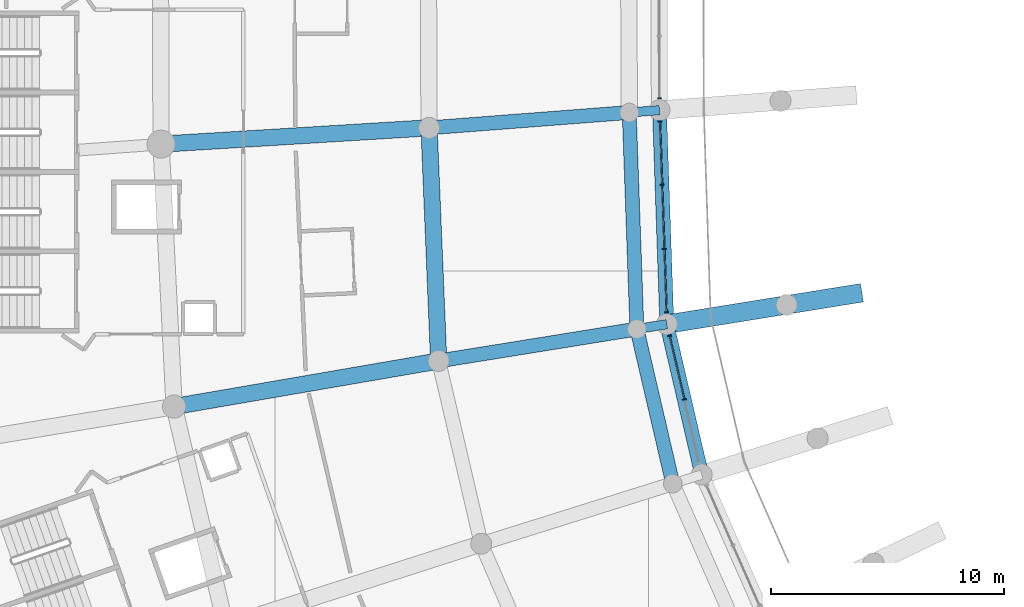
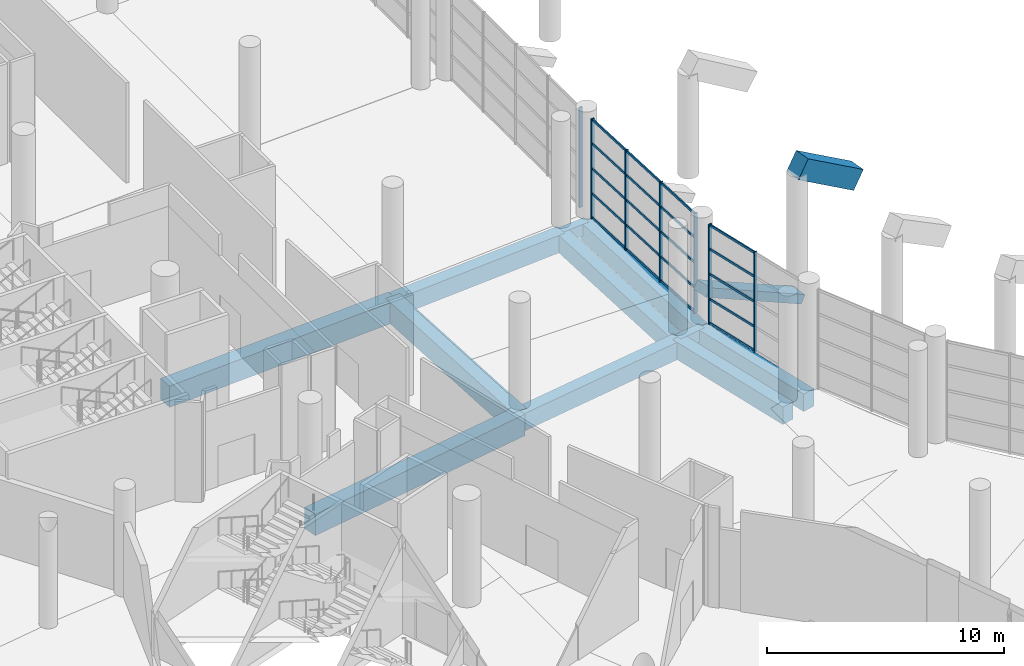
# One storey, part 32 of 271: 27 members, 13 beams, 3 elements without a shape of their own.
"""IFC4 building model written with IfcOpenShell, lengths in metres."""

import ifcopenshell
import ifcopenshell.guid

model = None  # the IFC model being written
_history = None  # IfcOwnerHistory: only IFC2X3 demands one
_inside = {}  # id of a spatial element -> (the spatial element, [elements in it])
_under = {}  # id of a project, library or spatial element -> (it, [spatial elements below it])
_declared = {}  # id of a project -> (the project, [libraries it declares])
_typed = {}  # id of a type object -> (the type object, [elements of that type])
_made_of = {}  # id of a material, layer set ... -> (it, [elements and type objects made of it])


def new_model(schema):
    """Start an empty IFC model of exactly this schema.

    Asked for "IFC4X3", IfcOpenShell would pick the latest addendum, in which some entities
    have other attributes; the version numbers below select the first issue.
    IFC2X3 requires an IfcOwnerHistory on every rooted entity: one is made here for all.
    """
    global model, _history
    if schema == "IFC4X3":
        model = ifcopenshell.file(schema_version=(4, 3, 0, 0))
    else:
        model = ifcopenshell.file(schema=schema)
    _inside.clear()
    _under.clear()
    _declared.clear()
    _typed.clear()
    _made_of.clear()
    _history = None
    if model.schema == "IFC2X3":
        org = make("IfcOrganization", Name="unknown")
        user = make(
            "IfcPersonAndOrganization",
            ThePerson=make("IfcPerson", FamilyName="unknown"),
            TheOrganization=org,
        )
        app = make(
            "IfcApplication",
            ApplicationDeveloper=org,
            Version="unknown",
            ApplicationFullName="unknown",
            ApplicationIdentifier="unknown",
        )
        _history = make(
            "IfcOwnerHistory",
            OwningUser=user,
            OwningApplication=app,
            ChangeAction="ADDED",
            CreationDate=0,
        )
    return model


def make(cls, **values):
    """One entity of the class cls with the attributes given. An attribute that is None is left unset."""
    return model.create_entity(
        cls, **{name: value for name, value in values.items() if value is not None}
    )


def rooted(cls, **values):
    """An entity with a GlobalId (a new one), such as an element, a storey or a relation."""
    return make(cls, GlobalId=ifcopenshell.guid.new(), OwnerHistory=_history, **values)


def si_unit(unit_type, name, prefix=None):
    """IfcSIUnit, for example si_unit("LENGTHUNIT", "METRE", prefix="MILLI")."""
    return make("IfcSIUnit", UnitType=unit_type, Prefix=prefix, Name=name)


def assignment(units):
    """IfcUnitAssignment: the units of a project."""
    return None if units is None else make("IfcUnitAssignment", Units=units)


def point(xyz):
    """IfcCartesianPoint."""
    return None if xyz is None else make("IfcCartesianPoint", Coordinates=xyz)


def direction(xyz):
    """IfcDirection."""
    return None if xyz is None else make("IfcDirection", DirectionRatios=xyz)


def frame(location, z_axis=None, x_axis=None):
    """IfcAxis2Placement3D, a coordinate frame: its origin and axes. An axis left out is left unset."""
    return make(
        "IfcAxis2Placement3D",
        Location=point(location),
        Axis=direction(z_axis),
        RefDirection=direction(x_axis),
    )


def frame_2d(location, x_axis=None):
    """IfcAxis2Placement2D, a coordinate frame in the plane: its origin and x axis."""
    return make(
        "IfcAxis2Placement2D", Location=point(location), RefDirection=direction(x_axis)
    )


def origin():
    """The frame at (0, 0, 0) with its axes left unset."""
    return frame((0.0, 0.0, 0.0))


def origin_2d():
    """The frame at (0, 0) in the plane with its x axis left unset."""
    return frame_2d((0.0, 0.0))


def place(relative_to, where):
    """IfcLocalPlacement: puts the frame where relative to a parent placement (None: the world)."""
    return make(
        "IfcLocalPlacement", PlacementRelTo=relative_to, RelativePlacement=where
    )


def context(
    kind, dimensions, precision=None, world=None, true_north=None, identifier=None
):
    """IfcGeometricRepresentationContext, for example the 3D "Model" context."""
    return make(
        "IfcGeometricRepresentationContext",
        ContextIdentifier=identifier,
        ContextType=kind,
        CoordinateSpaceDimension=dimensions,
        Precision=precision,
        WorldCoordinateSystem=world,
        TrueNorth=true_north,
    )


def subcontext(parent, identifier, kind, view, scale=None):
    """IfcGeometricRepresentationSubContext, for example "Body" below "Model"."""
    return make(
        "IfcGeometricRepresentationSubContext",
        ContextIdentifier=identifier,
        ContextType=kind,
        ParentContext=parent,
        TargetScale=scale,
        TargetView=view,
    )


def project(units=None, contexts=None):
    """IfcProject with its units and contexts."""
    return rooted(
        "IfcProject",
        Name="project",
        RepresentationContexts=contexts,
        UnitsInContext=assignment(units),
    )


def spatial(cls, under=None, at=None, **own):
    """A site, building, storey or space (cls), placed at a placement, below another one or the project."""
    s = rooted(cls, ObjectPlacement=at, **own)
    if under is not None:
        _under.setdefault(under.id(), (under, []))[1].append(s)
    return s


def profile(cls, at=None, kind="AREA", **sizes):
    """A parametric profile (cls). Its sizes go by their IFC names, for example OverallWidth=200.0."""
    return make(cls, ProfileType=kind, Position=at, **sizes)


def rectangle(**sizes):
    """IfcRectangleProfileDef."""
    return profile("IfcRectangleProfileDef", **sizes)


def extrude(swept, where, along, depth):
    """IfcExtrudedAreaSolid: the profile swept, set in the frame where, extruded along a direction by depth."""
    return make(
        "IfcExtrudedAreaSolid",
        SweptArea=swept,
        Position=where,
        ExtrudedDirection=direction(along),
        Depth=depth,
    )


def shape(context_of_items, identifier, shape_type, items):
    """IfcShapeRepresentation: the items that make up one representation, for example the "Body"."""
    return make(
        "IfcShapeRepresentation",
        ContextOfItems=context_of_items,
        RepresentationIdentifier=identifier,
        RepresentationType=shape_type,
        Items=items,
    )


def material(Name=None, Category=None):
    """IfcMaterial."""
    return make("IfcMaterial", Name=Name, Category=Category)


def layer(
    of_material, thickness, ventilated=None, Name=None, Category=None, Priority=None
):
    """IfcMaterialLayer: one layer of a wall or slab, of a material (None: an air gap)."""
    return make(
        "IfcMaterialLayer",
        Material=of_material,
        LayerThickness=thickness,
        IsVentilated=ventilated,
        Name=Name,
        Category=Category,
        Priority=Priority,
    )


def layer_set(layers, Name=None):
    """IfcMaterialLayerSet."""
    return make("IfcMaterialLayerSet", MaterialLayers=layers, LayerSetName=Name)


def material_profile(
    of_material, cross_section, Name=None, Category=None, Priority=None
):
    """IfcMaterialProfile: a cross section and its material."""
    return make(
        "IfcMaterialProfile",
        Name=Name,
        Material=of_material,
        Profile=cross_section,
        Priority=Priority,
        Category=Category,
    )


def profile_set(profiles, Name=None, composite=None):
    """IfcMaterialProfileSet."""
    return make(
        "IfcMaterialProfileSet",
        Name=Name,
        MaterialProfiles=profiles,
        CompositeProfile=composite,
    )


def made_of(thing, what):
    """Note that an element or type object is made of a material, layer set ...; save() writes the relation."""
    if what is not None:
        _made_of.setdefault(what.id(), (what, []))[1].append(thing)
    return thing


def type_object(cls, material=None, **own):
    """A type object (cls), such as IfcWallType, which elements share."""
    return made_of(rooted(cls, **own), material)


def element(
    cls,
    number,
    at=None,
    inside=None,
    cuts=None,
    type_object=None,
    material=None,
    context=None,
    identifier="Body",
    shape_type=None,
    held_by="IfcProductDefinitionShape",
    body=None,
    shapes=None,
    **own,
):
    """One element of the class cls, such as IfcWall. Its Tag is "e" and its number.

    at: its placement. inside: the storey or other place that contains it. cuts: it is an
    opening in that element (IfcRelVoidsElement). A single representation is given by context,
    identifier, shape_type and body (its items); several are given by shapes. held_by: the class
    of the entity that holds the representations. save() writes the other relations.
    """
    e = rooted(cls, Tag="e%d" % number, ObjectPlacement=at, **own)
    if body is not None:
        shapes = [shape(context, identifier, shape_type, body)]
    if shapes is not None:
        e.Representation = make(held_by, Representations=shapes)
    if inside is not None:
        _inside.setdefault(inside.id(), (inside, []))[1].append(e)
    if cuts is not None:
        rooted(
            "IfcRelVoidsElement", RelatingBuildingElement=cuts, RelatedOpeningElement=e
        )
    if type_object is not None:
        _typed.setdefault(type_object.id(), (type_object, []))[1].append(e)
    return made_of(e, material)


def aggregate(whole, parts):
    """IfcRelAggregates: a whole, such as a stair, and the parts it consists of."""
    return rooted("IfcRelAggregates", RelatingObject=whole, RelatedObjects=parts)


def save(model, path):
    """Write the relations noted so far, then the file.

    IfcRelAggregates (storeys below a building ...), IfcRelContainedInSpatialStructure (elements
    in a storey), IfcRelDefinesByType, IfcRelAssociatesMaterial and IfcRelDeclares: one each for
    every whole, place, type object, material and project.
    """
    for whole, parts in _under.values():
        aggregate(whole, parts)
    for where, things in _inside.values():
        rooted(
            "IfcRelContainedInSpatialStructure",
            RelatedElements=things,
            RelatingStructure=where,
        )
    for kind, things in _typed.values():
        rooted("IfcRelDefinesByType", RelatedObjects=things, RelatingType=kind)
    for what, things in _made_of.values():
        rooted("IfcRelAssociatesMaterial", RelatedObjects=things, RelatingMaterial=what)
    for by, libraries in _declared.values():
        rooted("IfcRelDeclares", RelatingContext=by, RelatedDefinitions=libraries)
    model.write(path)


model = new_model("IFC4")

# Units and contexts
model_context = context("Model", 3, precision=1e-05, world=origin(), true_north=direction((0.0, 1.0)))
body_context = subcontext(model_context, "Body", "Model", "MODEL_VIEW")
ifc_project = project(units=[si_unit("LENGTHUNIT", "METRE"), si_unit("AREAUNIT", "SQUARE_METRE"), si_unit("VOLUMEUNIT", "CUBIC_METRE"), si_unit("PLANEANGLEUNIT", "RADIAN"), si_unit("MASSUNIT", "GRAM", prefix="KILO")], contexts=[model_context])

# Site, building, storey
site_placement = place(None, origin())
site = spatial("IfcSite", under=ifc_project, at=site_placement, CompositionType="ELEMENT")
building_placement = place(site_placement, origin())
building = spatial("IfcBuilding", under=site, at=building_placement, Name="Meseta Stadium", CompositionType="ELEMENT")
storey_placement = place(building_placement, frame((0.0, 0.0, 6.5)))
storey = spatial("IfcBuildingStorey", under=building, at=storey_placement, Name="L01", CompositionType="ELEMENT", Elevation=6.5)

# Curtain wall, member
ifc_material_1 = material(Name="Aluminium", Category="aluminium")
ifc_layer = layer(ifc_material_1, 0.199951171875)
ifc_layer_set = layer_set([ifc_layer], Name="Club glazing curtain wall")
curtain_wall_type = type_object("IfcCurtainWallType", Name="Club glazing curtain wall", PredefinedType="NOTDEFINED", material=ifc_layer_set)
curtain_wall_1_placement = place(storey_placement, origin())
curtain_wall_1 = element("IfcCurtainWall", 1, at=curtain_wall_1_placement, inside=storey, type_object=curtain_wall_type, Name="Club glazing bay 35", PredefinedType="NOTDEFINED")
ifc_material_2 = material(Name="Aluminium", Category="aluminium")
ifc_material_profile_1 = material_profile(ifc_material_2, rectangle(XDim=0.159912109375, YDim=0.06005859375, at=origin_2d()), Name="CW 160x60")
ifc_profile_set_1 = profile_set([ifc_material_profile_1], Name="Aluminium")
member_type_1 = type_object("IfcMemberType", Name="CW mullion 60x160", PredefinedType="MULLION", material=ifc_profile_set_1)
member_1_placement = place(storey_placement, frame((-63.53515625, -40.59423828125, 0.0), z_axis=(0.0, 0.0, 1.0), x_axis=(0.999996195715, 0.002758360998, 0.0)))
member_1 = element("IfcMember", 2, at=member_1_placement, type_object=member_type_1, Name="CWC mullion 5", PredefinedType="MULLION", context=body_context, shape_type="SweptSolid", body=[
    extrude(rectangle(XDim=0.159912109375, YDim=0.06005859375, at=origin_2d()), origin(), (0.0, 0.0, 1.0), 5.14990234375),
])
aggregate(curtain_wall_1, [member_1])

# Curtain wall, members
curtain_wall_2_placement = place(storey_placement, origin())
curtain_wall_2 = element("IfcCurtainWall", 3, at=curtain_wall_2_placement, inside=storey, type_object=curtain_wall_type, Name="Club glazing bay 36", PredefinedType="NOTDEFINED")
member_2_placement = place(storey_placement, frame((-63.517333984375, -41.583740234375, 0.0), z_axis=(0.0, 0.0, 1.0), x_axis=(0.999408203812, 0.034398287063, 0.0)))
member_2 = element("IfcMember", 4, at=member_2_placement, type_object=member_type_1, Name="CWC mullion 1", PredefinedType="MULLION", context=body_context, shape_type="SweptSolid", body=[
    extrude(rectangle(XDim=0.159912109375, YDim=0.06005859375, at=origin_2d()), origin(), (0.0, 0.0, 1.0), 5.14990234375),
])
member_3_placement = place(storey_placement, frame((-63.423828125, -44.29931640625, 0.0), z_axis=(0.0, 0.0, 1.0), x_axis=(0.999408203812, 0.034398287063, 0.0)))
member_3 = element("IfcMember", 5, at=member_3_placement, type_object=member_type_1, Name="CWC mullion 2", PredefinedType="MULLION", context=body_context, shape_type="SweptSolid", body=[
    extrude(rectangle(XDim=0.159912109375, YDim=0.06005859375, at=origin_2d()), origin(), (0.0, 0.0, 1.0), 5.14990234375),
])
member_4_placement = place(storey_placement, frame((-63.329345703125, -47.044921875, 0.0), z_axis=(0.0, 0.0, 1.0), x_axis=(0.999408203812, 0.034398287063, 0.0)))
member_4 = element("IfcMember", 6, at=member_4_placement, type_object=member_type_1, Name="CWC mullion 3", PredefinedType="MULLION", context=body_context, shape_type="SweptSolid", body=[
    extrude(rectangle(XDim=0.159912109375, YDim=0.06005859375, at=origin_2d()), origin(), (0.0, 0.0, 1.0), 5.14990234375),
])
member_5_placement = place(storey_placement, frame((-63.23583984375, -49.760498046875, 0.0), z_axis=(0.0, 0.0, 1.0), x_axis=(0.999408203812, 0.034398287063, 0.0)))
member_5 = element("IfcMember", 7, at=member_5_placement, type_object=member_type_1, Name="CWC mullion 4", PredefinedType="MULLION", context=body_context, shape_type="SweptSolid", body=[
    extrude(rectangle(XDim=0.159912109375, YDim=0.06005859375, at=origin_2d()), origin(), (0.0, 0.0, 1.0), 5.14990234375),
])

curtain_wall_3_placement = place(storey_placement, origin())
curtain_wall_3 = element("IfcCurtainWall", 8, at=curtain_wall_3_placement, inside=storey, type_object=curtain_wall_type, Name="Club glazing bay 37", PredefinedType="NOTDEFINED")
member_6_placement = place(storey_placement, frame((-63.102783203125, -50.769775390625, 0.0), z_axis=(0.0, 0.0, 1.0), x_axis=(0.974116107399, 0.226048245529, 0.0)))
member_6 = element("IfcMember", 9, at=member_6_placement, type_object=member_type_1, Name="CWC mullion 1", PredefinedType="MULLION", context=body_context, shape_type="SweptSolid", body=[
    extrude(rectangle(XDim=0.159912109375, YDim=0.06005859375, at=origin_2d()), origin(), (0.0, 0.0, 1.0), 5.14990234375),
])
member_7_placement = place(storey_placement, frame((-62.470703125, -53.494140625, 0.0), z_axis=(0.0, 0.0, 1.0), x_axis=(0.974116107399, 0.226048245529, 0.0)))
member_7 = element("IfcMember", 10, at=member_7_placement, type_object=member_type_1, Name="CWC mullion 2", PredefinedType="MULLION", context=body_context, shape_type="SweptSolid", body=[
    extrude(rectangle(XDim=0.159912109375, YDim=0.06005859375, at=origin_2d()), origin(), (0.0, 0.0, 1.0), 5.14990234375),
])

# Member
ifc_material_3 = material(Name="Aluminium", Category="aluminium")
ifc_material_profile_2 = material_profile(ifc_material_3, rectangle(XDim=0.06005859375, YDim=0.1201171875, at=origin_2d()), Name="CW 60x120")
ifc_profile_set_2 = profile_set([ifc_material_profile_2], Name="Aluminium")
member_type_2 = type_object("IfcMemberType", Name="CW transom 60x120", PredefinedType="USERDEFINED", material=ifc_profile_set_2)
member_8_placement = place(storey_placement, frame((-63.51611328125, -41.61376953125, 0.06005859375), z_axis=(0.034364172763, -0.999409377398, 0.0), x_axis=(0.999409377398, 0.034364172763, 0.0)))
member_8 = element("IfcMember", 11, at=member_8_placement, type_object=member_type_2, Name="CWC transom 1.1", ObjectType="TRANSOM", PredefinedType="USERDEFINED", context=body_context, shape_type="SweptSolid", body=[
    extrude(rectangle(XDim=0.06005859375, YDim=0.1201171875, at=origin_2d()), origin(), (0.0, 0.0, 1.0), 2.656982421875),
])

member_9_placement = place(storey_placement, frame((-63.51611328125, -41.61376953125, 1.28759765625), z_axis=(0.034364172763, -0.999409377398, 0.0), x_axis=(0.999409377398, 0.034364172763, 0.0)))
member_9 = element("IfcMember", 12, at=member_9_placement, type_object=member_type_2, Name="CWC transom 1.2", ObjectType="TRANSOM", PredefinedType="USERDEFINED", context=body_context, shape_type="SweptSolid", body=[
    extrude(rectangle(XDim=0.06005859375, YDim=0.1201171875, at=origin_2d()), origin(), (0.0, 0.0, 1.0), 2.656982421875),
])

member_10_placement = place(storey_placement, frame((-63.51611328125, -41.61376953125, 2.574951171875), z_axis=(0.034364172763, -0.999409377398, 0.0), x_axis=(0.999409377398, 0.034364172763, 0.0)))
member_10 = element("IfcMember", 13, at=member_10_placement, type_object=member_type_2, Name="CWC transom 1.3", ObjectType="TRANSOM", PredefinedType="USERDEFINED", context=body_context, shape_type="SweptSolid", body=[
    extrude(rectangle(XDim=0.06005859375, YDim=0.1201171875, at=origin_2d()), origin(), (0.0, 0.0, 1.0), 2.656982421875),
])

member_11_placement = place(storey_placement, frame((-63.51611328125, -41.61376953125, 3.862548828125), z_axis=(0.034364172763, -0.999409377398, 0.0), x_axis=(0.999409377398, 0.034364172763, 0.0)))
member_11 = element("IfcMember", 14, at=member_11_placement, type_object=member_type_2, Name="CWC transom 1.4", ObjectType="TRANSOM", PredefinedType="USERDEFINED", context=body_context, shape_type="SweptSolid", body=[
    extrude(rectangle(XDim=0.06005859375, YDim=0.1201171875, at=origin_2d()), origin(), (0.0, 0.0, 1.0), 2.656982421875),
])

member_12_placement = place(storey_placement, frame((-63.51611328125, -41.61376953125, 5.090087890625), z_axis=(0.034364172763, -0.999409377398, 0.0), x_axis=(0.999409377398, 0.034364172763, 0.0)))
member_12 = element("IfcMember", 15, at=member_12_placement, type_object=member_type_2, Name="CWC transom 1.5", ObjectType="TRANSOM", PredefinedType="USERDEFINED", context=body_context, shape_type="SweptSolid", body=[
    extrude(rectangle(XDim=0.06005859375, YDim=0.1201171875, at=origin_2d()), origin(), (0.0, 0.0, 1.0), 2.656982421875),
])

member_13_placement = place(storey_placement, frame((-63.422607421875, -44.329345703125, 0.06005859375), z_axis=(0.034343365002, -0.999410092645, 0.0), x_axis=(0.999410092645, 0.034343365002, 0.0)))
member_13 = element("IfcMember", 16, at=member_13_placement, type_object=member_type_2, Name="CWC transom 2.1", ObjectType="TRANSOM", PredefinedType="USERDEFINED", context=body_context, shape_type="SweptSolid", body=[
    extrude(rectangle(XDim=0.06005859375, YDim=0.1201171875, at=origin_2d()), origin(), (0.0, 0.0, 1.0), 2.68701171875),
])

member_14_placement = place(storey_placement, frame((-63.422607421875, -44.329345703125, 1.28759765625), z_axis=(0.034343365002, -0.999410092645, 0.0), x_axis=(0.999410092645, 0.034343365002, 0.0)))
member_14 = element("IfcMember", 17, at=member_14_placement, type_object=member_type_2, Name="CWC transom 2.2", ObjectType="TRANSOM", PredefinedType="USERDEFINED", context=body_context, shape_type="SweptSolid", body=[
    extrude(rectangle(XDim=0.06005859375, YDim=0.1201171875, at=origin_2d()), origin(), (0.0, 0.0, 1.0), 2.68701171875),
])

member_15_placement = place(storey_placement, frame((-63.422607421875, -44.329345703125, 2.574951171875), z_axis=(0.034343365002, -0.999410092645, 0.0), x_axis=(0.999410092645, 0.034343365002, 0.0)))
member_15 = element("IfcMember", 18, at=member_15_placement, type_object=member_type_2, Name="CWC transom 2.3", ObjectType="TRANSOM", PredefinedType="USERDEFINED", context=body_context, shape_type="SweptSolid", body=[
    extrude(rectangle(XDim=0.06005859375, YDim=0.1201171875, at=origin_2d()), origin(), (0.0, 0.0, 1.0), 2.68701171875),
])

member_16_placement = place(storey_placement, frame((-63.422607421875, -44.329345703125, 3.862548828125), z_axis=(0.034343365002, -0.999410092645, 0.0), x_axis=(0.999410092645, 0.034343365002, 0.0)))
member_16 = element("IfcMember", 19, at=member_16_placement, type_object=member_type_2, Name="CWC transom 2.4", ObjectType="TRANSOM", PredefinedType="USERDEFINED", context=body_context, shape_type="SweptSolid", body=[
    extrude(rectangle(XDim=0.06005859375, YDim=0.1201171875, at=origin_2d()), origin(), (0.0, 0.0, 1.0), 2.68701171875),
])

member_17_placement = place(storey_placement, frame((-63.422607421875, -44.329345703125, 5.090087890625), z_axis=(0.034343365002, -0.999410092645, 0.0), x_axis=(0.999410092645, 0.034343365002, 0.0)))
member_17 = element("IfcMember", 20, at=member_17_placement, type_object=member_type_2, Name="CWC transom 2.5", ObjectType="TRANSOM", PredefinedType="USERDEFINED", context=body_context, shape_type="SweptSolid", body=[
    extrude(rectangle(XDim=0.06005859375, YDim=0.1201171875, at=origin_2d()), origin(), (0.0, 0.0, 1.0), 2.68701171875),
])

member_18_placement = place(storey_placement, frame((-63.328125, -47.074951171875, 0.06005859375), z_axis=(0.034361017441, -0.999409485887, 0.0), x_axis=(0.999409485887, 0.034361017441, 0.0)))
member_18 = element("IfcMember", 21, at=member_18_placement, type_object=member_type_2, Name="CWC transom 3.1", ObjectType="TRANSOM", PredefinedType="USERDEFINED", context=body_context, shape_type="SweptSolid", body=[
    extrude(rectangle(XDim=0.06005859375, YDim=0.1201171875, at=origin_2d()), origin(), (0.0, 0.0, 1.0), 2.6572265625),
])

member_19_placement = place(storey_placement, frame((-63.328125, -47.074951171875, 1.28759765625), z_axis=(0.034361017441, -0.999409485887, 0.0), x_axis=(0.999409485887, 0.034361017441, 0.0)))
member_19 = element("IfcMember", 22, at=member_19_placement, type_object=member_type_2, Name="CWC transom 3.2", ObjectType="TRANSOM", PredefinedType="USERDEFINED", context=body_context, shape_type="SweptSolid", body=[
    extrude(rectangle(XDim=0.06005859375, YDim=0.1201171875, at=origin_2d()), origin(), (0.0, 0.0, 1.0), 2.6572265625),
])

member_20_placement = place(storey_placement, frame((-63.328125, -47.074951171875, 2.574951171875), z_axis=(0.034361017441, -0.999409485887, 0.0), x_axis=(0.999409485887, 0.034361017441, 0.0)))
member_20 = element("IfcMember", 23, at=member_20_placement, type_object=member_type_2, Name="CWC transom 3.3", ObjectType="TRANSOM", PredefinedType="USERDEFINED", context=body_context, shape_type="SweptSolid", body=[
    extrude(rectangle(XDim=0.06005859375, YDim=0.1201171875, at=origin_2d()), origin(), (0.0, 0.0, 1.0), 2.6572265625),
])

member_21_placement = place(storey_placement, frame((-63.328125, -47.074951171875, 3.862548828125), z_axis=(0.034361017441, -0.999409485887, 0.0), x_axis=(0.999409485887, 0.034361017441, 0.0)))
member_21 = element("IfcMember", 24, at=member_21_placement, type_object=member_type_2, Name="CWC transom 3.4", ObjectType="TRANSOM", PredefinedType="USERDEFINED", context=body_context, shape_type="SweptSolid", body=[
    extrude(rectangle(XDim=0.06005859375, YDim=0.1201171875, at=origin_2d()), origin(), (0.0, 0.0, 1.0), 2.6572265625),
])

member_22_placement = place(storey_placement, frame((-63.328125, -47.074951171875, 5.090087890625), z_axis=(0.034361017441, -0.999409485887, 0.0), x_axis=(0.999409485887, 0.034361017441, 0.0)))
member_22 = element("IfcMember", 25, at=member_22_placement, type_object=member_type_2, Name="CWC transom 3.5", ObjectType="TRANSOM", PredefinedType="USERDEFINED", context=body_context, shape_type="SweptSolid", body=[
    extrude(rectangle(XDim=0.06005859375, YDim=0.1201171875, at=origin_2d()), origin(), (0.0, 0.0, 1.0), 2.6572265625),
])

aggregate(curtain_wall_2, [member_2, member_3, member_4, member_5, member_8, member_9, member_10, member_11, member_12, member_13, member_14, member_15, member_16, member_17, member_18, member_19, member_20, member_21, member_22])

member_23_placement = place(storey_placement, frame((-63.09619140625, -50.799072265625, 0.06005859375), z_axis=(0.226064707023, -0.974112287285, 0.0), x_axis=(0.974112287285, 0.226064707023, 0.0)))
member_23 = element("IfcMember", 26, at=member_23_placement, type_object=member_type_2, Name="CWC transom 1.1", ObjectType="TRANSOM", PredefinedType="USERDEFINED", context=body_context, shape_type="SweptSolid", body=[
    extrude(rectangle(XDim=0.06005859375, YDim=0.1201171875, at=origin_2d()), origin(), (0.0, 0.0, 1.0), 2.736572265625),
])

member_24_placement = place(storey_placement, frame((-63.09619140625, -50.799072265625, 1.28759765625), z_axis=(0.226064707023, -0.974112287285, 0.0), x_axis=(0.974112287285, 0.226064707023, 0.0)))
member_24 = element("IfcMember", 27, at=member_24_placement, type_object=member_type_2, Name="CWC transom 1.2", ObjectType="TRANSOM", PredefinedType="USERDEFINED", context=body_context, shape_type="SweptSolid", body=[
    extrude(rectangle(XDim=0.06005859375, YDim=0.1201171875, at=origin_2d()), origin(), (0.0, 0.0, 1.0), 2.736572265625),
])

member_25_placement = place(storey_placement, frame((-63.09619140625, -50.799072265625, 2.574951171875), z_axis=(0.226064707023, -0.974112287285, 0.0), x_axis=(0.974112287285, 0.226064707023, 0.0)))
member_25 = element("IfcMember", 28, at=member_25_placement, type_object=member_type_2, Name="CWC transom 1.3", ObjectType="TRANSOM", PredefinedType="USERDEFINED", context=body_context, shape_type="SweptSolid", body=[
    extrude(rectangle(XDim=0.06005859375, YDim=0.1201171875, at=origin_2d()), origin(), (0.0, 0.0, 1.0), 2.736572265625),
])

member_26_placement = place(storey_placement, frame((-63.09619140625, -50.799072265625, 3.862548828125), z_axis=(0.226064707023, -0.974112287285, 0.0), x_axis=(0.974112287285, 0.226064707023, 0.0)))
member_26 = element("IfcMember", 29, at=member_26_placement, type_object=member_type_2, Name="CWC transom 1.4", ObjectType="TRANSOM", PredefinedType="USERDEFINED", context=body_context, shape_type="SweptSolid", body=[
    extrude(rectangle(XDim=0.06005859375, YDim=0.1201171875, at=origin_2d()), origin(), (0.0, 0.0, 1.0), 2.736572265625),
])

member_27_placement = place(storey_placement, frame((-63.09619140625, -50.799072265625, 5.090087890625), z_axis=(0.226064707023, -0.974112287285, 0.0), x_axis=(0.974112287285, 0.226064707023, 0.0)))
member_27 = element("IfcMember", 30, at=member_27_placement, type_object=member_type_2, Name="CWC transom 1.5", ObjectType="TRANSOM", PredefinedType="USERDEFINED", context=body_context, shape_type="SweptSolid", body=[
    extrude(rectangle(XDim=0.06005859375, YDim=0.1201171875, at=origin_2d()), origin(), (0.0, 0.0, 1.0), 2.736572265625),
])

aggregate(curtain_wall_3, [member_6, member_7, member_23, member_24, member_25, member_26, member_27])

# Beams
ifc_material_4 = material(Name="Concrete C40/50", Category="concrete")
ifc_material_profile_3 = material_profile(ifc_material_4, rectangle(XDim=0.39990234375, YDim=0.60009765625, at=origin_2d()), Name="RC 400x600")
ifc_profile_set_3 = profile_set([ifc_material_profile_3], Name="Concrete C40/50")
beam_type_1 = type_object("IfcBeamType", Name="RC beam 400x600", PredefinedType="BEAM", material=ifc_profile_set_3)
for number, where, z_axis, x_axis, name in (
    (31, (-63.53369140625, -41.1044921875, -0.64990234375), (-0.99706000661, -0.076624690657, 0.0), (0.076624690657, -0.99706000661, 0.0), "L01 radial beam frame 36 line C to D"),
    (32, (-63.21826171875, -50.27294921875, -0.64990234375), (-0.98726777227, -0.159067111111, 0.0), (0.159067111111, -0.98726777227, 0.0), "L01 radial beam frame 37 line C to D"),
):
    element("IfcBeam", number, at=place(storey_placement, frame(where, z_axis=z_axis, x_axis=x_axis)), inside=storey, type_object=beam_type_1, Name=name, PredefinedType="BEAM", context=body_context, shape_type="SweptSolid", body=[
        extrude(rectangle(XDim=0.39990234375, YDim=0.60009765625, at=origin_2d()), origin(), (0.0, 0.0, 1.0), 1.300048828125),
    ])
ifc_material_5 = material(Name="Concrete C40/50", Category="concrete")
ifc_material_profile_4 = material_profile(ifc_material_5, rectangle(XDim=0.60009765625, YDim=0.89990234375, at=origin_2d()), Name="RC 600x900")
ifc_profile_set_4 = profile_set([ifc_material_profile_4], Name="Concrete C40/50")
beam_type_2 = type_object("IfcBeamType", Name="RC beam 600x900", PredefinedType="BEAM", material=ifc_profile_set_4)
beam_1_placement = place(storey_placement, frame((-63.53369140625, -41.1044921875, -0.800048828125), z_axis=(0.034383449406, -0.999408714394, 0.0), x_axis=(0.999408714394, 0.034383449406, 0.0)))
element("IfcBeam", 33, at=beam_1_placement, inside=storey, type_object=beam_type_2, Name="L01 ring beam frame 36 line C", PredefinedType="BEAM", context=body_context, shape_type="SweptSolid", body=[
    extrude(rectangle(XDim=0.60009765625, YDim=0.89990234375, at=origin_2d()), origin(), (0.0, 0.0, 1.0), 9.173828125),
])
beam_2_placement = place(storey_placement, frame((-64.829833984375, -41.2041015625, -0.800048828125), z_axis=(0.035352824386, -0.999374893525, 0.0), x_axis=(0.999374893525, 0.035352824386, 0.0)))
element("IfcBeam", 34, at=beam_2_placement, inside=storey, type_object=beam_type_2, Name="L01 ring beam frame 36 line D", PredefinedType="BEAM", context=body_context, shape_type="SweptSolid", body=[
    extrude(rectangle(XDim=0.60009765625, YDim=0.89990234375, at=origin_2d()), origin(), (0.0, 0.0, 1.0), 9.281494140625),
])
beam_3_placement = place(storey_placement, frame((-63.21826171875, -50.27294921875, -0.800048828125), z_axis=(0.226059029022, -0.974113604975, 0.0), x_axis=(0.974113604975, 0.226059029022, 0.0)))
element("IfcBeam", 35, at=beam_3_placement, inside=storey, type_object=beam_type_2, Name="L01 ring beam frame 37 line C", PredefinedType="BEAM", context=body_context, shape_type="SweptSolid", body=[
    extrude(rectangle(XDim=0.60009765625, YDim=0.89990234375, at=origin_2d()), origin(), (0.0, 0.0, 1.0), 6.61376953125),
])
beam_4_placement = place(storey_placement, frame((-64.501708984375, -50.479736328125, -0.800048828125), z_axis=(0.226157078617, -0.974090845759, 0.0), x_axis=(0.974090845759, 0.226157078617, 0.0)))
element("IfcBeam", 36, at=beam_4_placement, inside=storey, type_object=beam_type_2, Name="L01 ring beam frame 37 line D", PredefinedType="BEAM", context=body_context, shape_type="SweptSolid", body=[
    extrude(rectangle(XDim=0.60009765625, YDim=0.89990234375, at=origin_2d()), origin(), (0.0, 0.0, 1.0), 6.801025390625),
])
beam_5_placement = place(storey_placement, frame((-64.829833984375, -41.2041015625, -0.800048828125), z_axis=(-0.997066996267, -0.076533685105, 0.0), x_axis=(0.076533685105, -0.997066996267, 0.0)))
element("IfcBeam", 37, at=beam_5_placement, inside=storey, type_object=beam_type_2, Name="L01 radial beam frame 36 line D to E", PredefinedType="BEAM", context=body_context, shape_type="SweptSolid", body=[
    extrude(rectangle(XDim=0.60009765625, YDim=0.89990234375, at=origin_2d()), origin(), (0.0, 0.0, 1.0), 8.60009765625),
])
beam_6_placement = place(storey_placement, frame((-64.501708984375, -50.479736328125, -0.800048828125), z_axis=(-0.987277660392, -0.159005727229, 0.0), x_axis=(0.159005727229, -0.987277660392, 0.0)))
element("IfcBeam", 38, at=beam_6_placement, inside=storey, type_object=beam_type_2, Name="L01 radial beam frame 37 line D to E", PredefinedType="BEAM", context=body_context, shape_type="SweptSolid", body=[
    extrude(rectangle(XDim=0.60009765625, YDim=0.89990234375, at=origin_2d()), origin(), (0.0, 0.0, 1.0), 8.599853515625),
])
ifc_material_6 = material(Name="Concrete C40/50", Category="concrete")
ifc_material_profile_5 = material_profile(ifc_material_6, rectangle(XDim=0.699951171875, YDim=1.10009765625, at=origin_2d()), Name="RC 700x1100")
ifc_profile_set_5 = profile_set([ifc_material_profile_5], Name="Concrete C40/50")
beam_type_3 = type_object("IfcBeamType", Name="RC beam 700x1100", PredefinedType="BEAM", material=ifc_profile_set_5)
beam_7_placement = place(storey_placement, frame((-73.40478515625, -41.8623046875, -0.89990234375), z_axis=(0.041287079546, -0.999147325004, 0.0), x_axis=(0.999147325004, 0.041287079546, 0.0)))
element("IfcBeam", 39, at=beam_7_placement, inside=storey, type_object=beam_type_3, Name="L01 ring beam frame 36 line E", PredefinedType="BEAM", context=body_context, shape_type="SweptSolid", body=[
    extrude(rectangle(XDim=0.699951171875, YDim=1.10009765625, at=origin_2d()), origin(), (0.0, 0.0, 1.0), 9.993408203125),
])
beam_8_placement = place(storey_placement, frame((-73.40478515625, -41.8623046875, -0.89990234375), z_axis=(-0.998150037989, -0.060798862349, 0.0), x_axis=(0.060798862349, -0.998150037989, 0.0)))
element("IfcBeam", 40, at=beam_8_placement, inside=storey, type_object=beam_type_3, Name="L01 radial beam frame 36 line E to P", PredefinedType="BEAM", context=body_context, shape_type="SweptSolid", body=[
    extrude(rectangle(XDim=0.699951171875, YDim=1.10009765625, at=origin_2d()), origin(), (0.0, 0.0, 1.0), 11.50048828125),
])
beam_9_placement = place(storey_placement, frame((-72.9921875, -51.84716796875, -0.89990234375), z_axis=(-0.985454599583, -0.169938907145, 0.0), x_axis=(0.169938907145, -0.985454599583, 0.0)))
element("IfcBeam", 41, at=beam_9_placement, inside=storey, type_object=beam_type_3, Name="L01 radial beam frame 37 line E to P", PredefinedType="BEAM", context=body_context, shape_type="SweptSolid", body=[
    extrude(rectangle(XDim=0.699951171875, YDim=1.10009765625, at=origin_2d()), origin(), (0.0, 0.0, 1.0), 11.500244140625),
])
ifc_material_7 = material(Name="Concrete C40/50", Category="concrete")
ifc_material_profile_6 = material_profile(ifc_material_7, rectangle(XDim=0.800048828125, YDim=0.449951171875, at=origin_2d()), Name="RC 800x450")
ifc_profile_set_6 = profile_set([ifc_material_profile_6], Name="Concrete C40/50")
beam_type_4 = type_object("IfcBeamType", Name="RC raker lower 800x450", PredefinedType="USERDEFINED", material=ifc_profile_set_6)
beam_10_placement = place(storey_placement, frame((-58.084228515625, -49.4462890625, -1.083251953125), z_axis=(-0.879673184359, -0.141641228886, 0.453996531925), x_axis=(0.158968215879, -0.98728370104, 0.0)))
element("IfcBeam", 42, at=beam_10_placement, inside=storey, type_object=beam_type_4, Name="Raker lower frame 37 lower tier", ObjectType="RAKER", PredefinedType="USERDEFINED", context=body_context, shape_type="SweptSolid", body=[
    extrude(rectangle(XDim=0.800048828125, YDim=0.449951171875, at=origin_2d()), origin(), (0.0, 0.0, 1.0), 5.836181640625),
])
ifc_material_8 = material(Name="Concrete C40/50", Category="concrete")
ifc_material_profile_7 = material_profile(ifc_material_8, rectangle(XDim=0.800048828125, YDim=1.0, at=origin_2d()), Name="RC 800x1000")
ifc_profile_set_7 = profile_set([ifc_material_profile_7], Name="Concrete C40/50")
beam_type_5 = type_object("IfcBeamType", Name="RC raker upper front 800x1000", PredefinedType="USERDEFINED", material=ifc_profile_set_7)
beam_11_placement = place(storey_placement, frame((-55.12255859375, -48.96923828125, 3.73779296875), z_axis=(-0.837409269192, -0.134885641085, 0.529671199614), x_axis=(0.1590251774, -0.987274527653, 0.0)))
element("IfcBeam", 43, at=beam_11_placement, inside=storey, type_object=beam_type_5, Name="Raker upper front frame 37 upper tier", ObjectType="RAKER", PredefinedType="USERDEFINED", context=body_context, shape_type="SweptSolid", body=[
    extrude(rectangle(XDim=0.800048828125, YDim=1.0, at=origin_2d()), origin(), (0.0, 0.0, 1.0), 3.53662109375),
])

save(model, "model.ifc")
